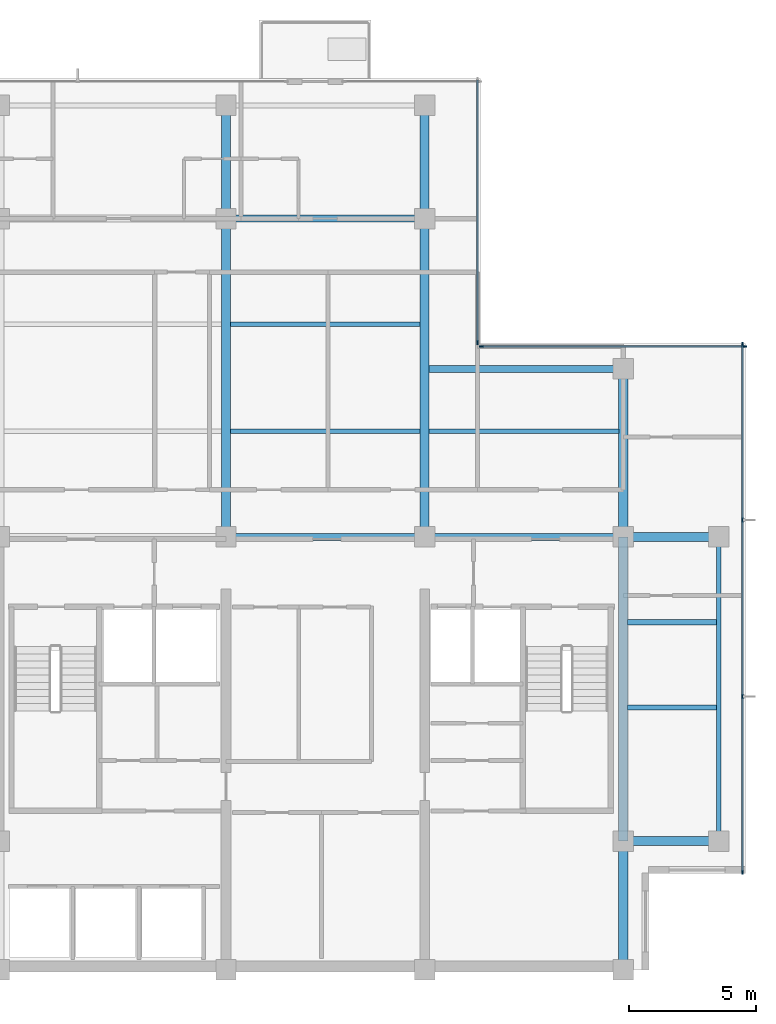
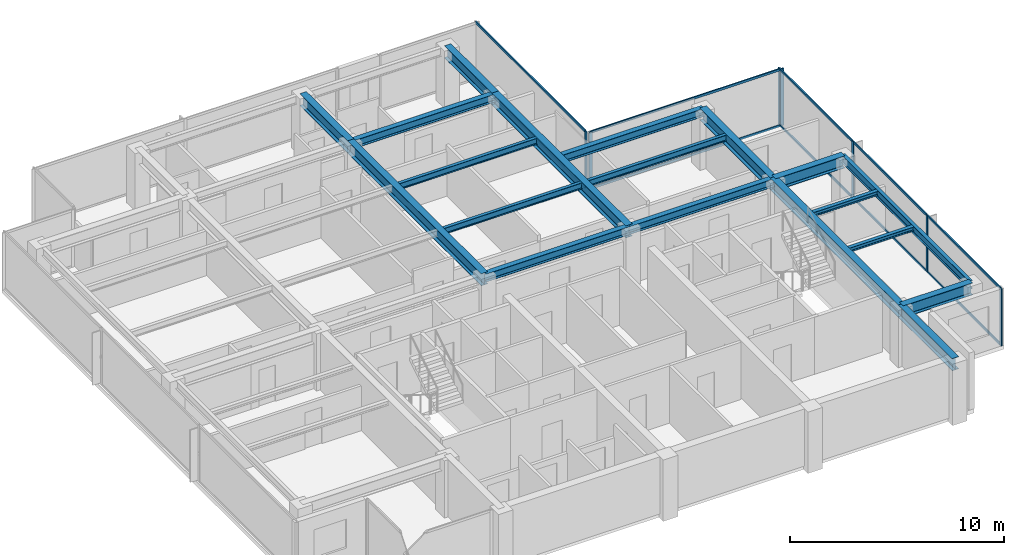
# One storey, part 3 of 11: 19 beams, 17 members, 3 elements without a shape of their own.
"""IFC4 building model written with IfcOpenShell, lengths in metres."""

from ifc_helpers import new_model, si_unit, direction, frame, origin, origin_2d, place, context, subcontext, project, spatial, rectangle, i_section, extrude, material, layer, layer_set, material_profile, profile_set, type_object, element, aggregate, save


model = new_model("IFC4")

# Units and contexts
model_context = context("Model", 3, precision=1e-05, world=origin(), true_north=direction((0.0, 1.0)))
body_context = subcontext(model_context, "Body", "Model", "MODEL_VIEW")
ifc_project = project(units=[si_unit("LENGTHUNIT", "METRE"), si_unit("AREAUNIT", "SQUARE_METRE"), si_unit("VOLUMEUNIT", "CUBIC_METRE"), si_unit("PLANEANGLEUNIT", "RADIAN"), si_unit("MASSUNIT", "GRAM", prefix="KILO")], contexts=[model_context])

# Site, building, storey
site_placement = place(None, origin())
site = spatial("IfcSite", under=ifc_project, at=site_placement, CompositionType="ELEMENT")
building_placement = place(site_placement, origin())
building = spatial("IfcBuilding", under=site, at=building_placement, Name="Qalmaran Belvedere Hotel", CompositionType="ELEMENT")
storey_placement = place(building_placement, frame((0.0, 0.0, 270.39990234375)))
storey = spatial("IfcBuildingStorey", under=building, at=storey_placement, Name="L70", CompositionType="ELEMENT", Elevation=270.39990234375)

# Beams
ifc_material_1 = material(Name="Steel S355JR", Category="steel")
ifc_material_profile_1 = material_profile(ifc_material_1, i_section(OverallWidth=0.201904296875, OverallDepth=0.2470703125, WebThickness=0.00732421875, FlangeThickness=0.010986328125, FilletRadius=0.011962890625, at=origin_2d()), Name="W250X49")
ifc_profile_set_1 = profile_set([ifc_material_profile_1], Name="Steel S355JR")
beam_type_1 = type_object("IfcBeamType", Name="BM-JST-W250X49", PredefinedType="JOIST", material=ifc_profile_set_1)
for number, where, z_axis, x_axis, name in (
    (1, (44.9755859375, 13.800048828125, 3.13671875), (1.0, 0.0, 0.0), (0.0, 1.0, 0.0), "L70 East Wing Joist 032"),
    (2, (44.9755859375, 17.14990234375, 3.13671875), (1.0, 0.0, 0.0), (0.0, 1.0, 0.0), "L70 East Wing Joist 034"),
):
    element("IfcBeam", number, at=place(storey_placement, frame(where, z_axis=z_axis, x_axis=x_axis)), inside=storey, type_object=beam_type_1, Name=name, PredefinedType="JOIST", context=body_context, shape_type="SweptSolid", body=[
        extrude(i_section(OverallWidth=0.201904296875, OverallDepth=0.2470703125, WebThickness=0.00732421875, FlangeThickness=0.010986328125, FilletRadius=0.011962890625, at=origin_2d()), origin(), (0.0, 0.0, 1.0), 3.48046875),
    ])
ifc_material_profile_2 = material_profile(ifc_material_1, i_section(OverallWidth=0.172119140625, OverallDepth=0.35791015625, WebThickness=0.0078125, FlangeThickness=0.01318359375, FilletRadius=0.014892578125, at=origin_2d()), Name="W360X57")
ifc_profile_set_2 = profile_set([ifc_material_profile_2], Name="Steel S355JR")
beam_type_2 = type_object("IfcBeamType", Name="BM-SB4-W360X57", PredefinedType="BEAM", material=ifc_profile_set_2)
for number, where, z_axis, x_axis, name in (
    (3, (29.37548828125, 24.64990234375, 3.0810546875), (1.0, 0.0, 0.0), (0.0, 1.0, 0.0), "L70 Secondary Floor Beam 026"),
    (4, (37.175537109375, 24.64990234375, 3.0810546875), (1.0, 0.0, 0.0), (0.0, 1.0, 0.0), "L70 Secondary Floor Beam 027"),
    (5, (29.37548828125, 28.85009765625, 3.0810546875), (1.0, 0.0, 0.0), (0.0, 1.0, 0.0), "L70 Secondary Floor Beam 030"),
):
    element("IfcBeam", number, at=place(storey_placement, frame(where, z_axis=z_axis, x_axis=x_axis)), inside=storey, type_object=beam_type_2, Name=name, PredefinedType="BEAM", context=body_context, shape_type="SweptSolid", body=[
        extrude(i_section(OverallWidth=0.172119140625, OverallDepth=0.35791015625, WebThickness=0.0078125, FlangeThickness=0.01318359375, FilletRadius=0.014892578125, at=origin_2d()), origin(), (0.0, 0.0, 1.0), 7.448974609375),
    ])
ifc_material_profile_3 = material_profile(ifc_material_1, i_section(OverallWidth=0.19189453125, OverallDepth=0.462890625, WebThickness=0.010498046875, FlangeThickness=0.017578125, FilletRadius=0.01611328125, at=origin_2d()), Name="W460X89")
ifc_profile_set_3 = profile_set([ifc_material_profile_3], Name="Steel S355JR")
beam_type_3 = type_object("IfcBeamType", Name="BM-SP2-W460X89", PredefinedType="SPANDREL", material=ifc_profile_set_3)
beam_1_placement = place(storey_placement, frame((48.550048828125, 8.550048828125, 3.028564453125), z_axis=(0.0, 1.0, 0.0), x_axis=(-1.0, 0.0, 0.0)))
element("IfcBeam", 6, at=beam_1_placement, inside=storey, type_object=beam_type_3, Name="L70 Perimeter Spandrel 03", PredefinedType="SPANDREL", context=body_context, shape_type="SweptSolid", body=[
    extrude(i_section(OverallWidth=0.19189453125, OverallDepth=0.462890625, WebThickness=0.010498046875, FlangeThickness=0.017578125, FilletRadius=0.01611328125, at=origin_2d()), origin(), (0.0, 0.0, 1.0), 11.949951171875),
])
ifc_material_profile_4 = material_profile(ifc_material_1, i_section(OverallWidth=0.35498046875, OverallDepth=0.695068359375, WebThickness=0.015380859375, FlangeThickness=0.02490234375, FilletRadius=0.02197265625, at=origin_2d()), Name="W690X217")
ifc_profile_set_4 = profile_set([ifc_material_profile_4], Name="Steel S355JR")
beam_type_4 = type_object("IfcBeamType", Name="BM-Z1-W690X217", PredefinedType="USERDEFINED", material=ifc_profile_set_4)
beam_2_placement = place(storey_placement, frame((29.199951171875, 20.5, 2.91259765625), z_axis=(0.0, 1.0, 0.0), x_axis=(-1.0, 0.0, 0.0)))
element("IfcBeam", 7, at=beam_2_placement, inside=storey, type_object=beam_type_4, Name="L70 Mid-Plate N-S Girder 13", ObjectType="GIRDER", PredefinedType="USERDEFINED", context=body_context, shape_type="SweptSolid", body=[
    extrude(i_section(OverallWidth=0.35498046875, OverallDepth=0.695068359375, WebThickness=0.015380859375, FlangeThickness=0.02490234375, FilletRadius=0.02197265625, at=origin_2d()), origin(), (0.0, 0.0, 1.0), 12.5),
])
beam_3_placement = place(storey_placement, frame((29.199951171875, 33.0, 2.91259765625), z_axis=(0.0, 1.0, 0.0), x_axis=(-1.0, 0.0, 0.0)))
element("IfcBeam", 8, at=beam_3_placement, inside=storey, type_object=beam_type_4, Name="L70 North Bay Girder 14", ObjectType="GIRDER", PredefinedType="USERDEFINED", context=body_context, shape_type="SweptSolid", body=[
    extrude(i_section(OverallWidth=0.35498046875, OverallDepth=0.695068359375, WebThickness=0.015380859375, FlangeThickness=0.02490234375, FilletRadius=0.02197265625, at=origin_2d()), origin(), (0.0, 0.0, 1.0), 4.449951171875),
])
beam_4_placement = place(storey_placement, frame((37.0, 20.5, 2.91259765625), z_axis=(0.0, 1.0, 0.0), x_axis=(-1.0, 0.0, 0.0)))
element("IfcBeam", 9, at=beam_4_placement, inside=storey, type_object=beam_type_4, Name="L70 Mid-Plate N-S Girder 15", ObjectType="GIRDER", PredefinedType="USERDEFINED", context=body_context, shape_type="SweptSolid", body=[
    extrude(i_section(OverallWidth=0.35498046875, OverallDepth=0.695068359375, WebThickness=0.015380859375, FlangeThickness=0.02490234375, FilletRadius=0.02197265625, at=origin_2d()), origin(), (0.0, 0.0, 1.0), 12.5),
])
beam_5_placement = place(storey_placement, frame((37.0, 33.0, 2.91259765625), z_axis=(0.0, 1.0, 0.0), x_axis=(-1.0, 0.0, 0.0)))
element("IfcBeam", 10, at=beam_5_placement, inside=storey, type_object=beam_type_4, Name="L70 North Bay Girder 16", ObjectType="GIRDER", PredefinedType="USERDEFINED", context=body_context, shape_type="SweptSolid", body=[
    extrude(i_section(OverallWidth=0.35498046875, OverallDepth=0.695068359375, WebThickness=0.015380859375, FlangeThickness=0.02490234375, FilletRadius=0.02197265625, at=origin_2d()), origin(), (0.0, 0.0, 1.0), 4.449951171875),
])
beam_6_placement = place(storey_placement, frame((44.800048828125, 20.5, 2.91259765625), z_axis=(0.0, 1.0, 0.0), x_axis=(-1.0, 0.0, 0.0)))
element("IfcBeam", 11, at=beam_6_placement, inside=storey, type_object=beam_type_4, Name="L70 Mid-Plate N-S Girder 17", ObjectType="GIRDER", PredefinedType="USERDEFINED", context=body_context, shape_type="SweptSolid", body=[
    extrude(i_section(OverallWidth=0.35498046875, OverallDepth=0.695068359375, WebThickness=0.015380859375, FlangeThickness=0.02490234375, FilletRadius=0.02197265625, at=origin_2d()), origin(), (0.0, 0.0, 1.0), 6.60009765625),
])
beam_7_placement = place(storey_placement, frame((44.800048828125, 3.5, 2.91259765625), z_axis=(0.0, 1.0, 0.0), x_axis=(-1.0, 0.0, 0.0)))
element("IfcBeam", 12, at=beam_7_placement, inside=storey, type_object=beam_type_4, Name="L70 East Core Edge Girder A", ObjectType="GIRDER", PredefinedType="USERDEFINED", context=body_context, shape_type="SweptSolid", body=[
    extrude(i_section(OverallWidth=0.35498046875, OverallDepth=0.695068359375, WebThickness=0.015380859375, FlangeThickness=0.02490234375, FilletRadius=0.02197265625, at=origin_2d()), origin(), (0.0, 0.0, 1.0), 5.050048828125),
])
beam_8_placement = place(storey_placement, frame((44.800048828125, 8.550048828125, 2.91259765625), z_axis=(0.0, 1.0, 0.0), x_axis=(-1.0, 0.0, 0.0)))
element("IfcBeam", 13, at=beam_8_placement, inside=storey, type_object=beam_type_4, Name="L70 East Core Edge Girder B", ObjectType="GIRDER", PredefinedType="USERDEFINED", context=body_context, shape_type="SweptSolid", body=[
    extrude(i_section(OverallWidth=0.35498046875, OverallDepth=0.695068359375, WebThickness=0.015380859375, FlangeThickness=0.02490234375, FilletRadius=0.02197265625, at=origin_2d()), origin(), (0.0, 0.0, 1.0), 11.949951171875),
])
for number, where, z_axis, x_axis, name in (
    (14, (44.800048828125, 8.550048828125, 2.91259765625), (1.0, 0.0, 0.0), (0.0, 1.0, 0.0), "L70 East Wing Girder 22"),
    (15, (44.800048828125, 20.5, 2.91259765625), (1.0, 0.0, 0.0), (0.0, 1.0, 0.0), "L70 East Wing Girder 23"),
):
    element("IfcBeam", number, at=place(storey_placement, frame(where, z_axis=z_axis, x_axis=x_axis)), inside=storey, type_object=beam_type_4, Name=name, ObjectType="GIRDER", PredefinedType="USERDEFINED", context=body_context, shape_type="SweptSolid", body=[
        extrude(i_section(OverallWidth=0.35498046875, OverallDepth=0.695068359375, WebThickness=0.015380859375, FlangeThickness=0.02490234375, FilletRadius=0.02197265625, at=origin_2d()), origin(), (0.0, 0.0, 1.0), 3.75),
    ])
ifc_material_profile_5 = material_profile(ifc_material_1, i_section(OverallWidth=0.280029296875, OverallDepth=0.462890625, WebThickness=0.0107421875, FlangeThickness=0.017333984375, FilletRadius=0.01611328125, at=origin_2d()), Name="W460X113")
ifc_profile_set_5 = profile_set([ifc_material_profile_5], Name="Steel S355JR")
beam_type_5 = type_object("IfcBeamType", Name="BM-Z5-W460X113", PredefinedType="USERDEFINED", material=ifc_profile_set_5)
for number, where, z_axis, x_axis, name in (
    (16, (29.199951171875, 20.5, 3.028564453125), (1.0, 0.0, 0.0), (0.0, 1.0, 0.0), "L70 Interior E-W Girder 07"),
    (17, (37.0, 20.5, 3.028564453125), (1.0, 0.0, 0.0), (0.0, 1.0, 0.0), "L70 Interior E-W Girder 08"),
    (18, (29.199951171875, 33.0, 3.028564453125), (1.0, 0.0, 0.0), (0.0, 1.0, 0.0), "L70 Interior E-W Girder 10"),
):
    element("IfcBeam", number, at=place(storey_placement, frame(where, z_axis=z_axis, x_axis=x_axis)), inside=storey, type_object=beam_type_5, Name=name, ObjectType="GIRDER", PredefinedType="USERDEFINED", context=body_context, shape_type="SweptSolid", body=[
        extrude(i_section(OverallWidth=0.280029296875, OverallDepth=0.462890625, WebThickness=0.0107421875, FlangeThickness=0.017333984375, FilletRadius=0.01611328125, at=origin_2d()), origin(), (0.0, 0.0, 1.0), 7.800048828125),
    ])
beam_9_placement = place(storey_placement, frame((37.175537109375, 27.10009765625, 3.028564453125), z_axis=(1.0, 0.0, 0.0), x_axis=(0.0, 1.0, 0.0)))
element("IfcBeam", 19, at=beam_9_placement, inside=storey, type_object=beam_type_5, Name="L70 North-East Notch Rim Girder", ObjectType="GIRDER", PredefinedType="USERDEFINED", context=body_context, shape_type="SweptSolid", body=[
    extrude(i_section(OverallWidth=0.280029296875, OverallDepth=0.462890625, WebThickness=0.0107421875, FlangeThickness=0.017333984375, FilletRadius=0.01611328125, at=origin_2d()), origin(), (0.0, 0.0, 1.0), 7.62451171875),
])

# Curtain wall, members
ifc_material_2 = material(Name="Anodised Bronze Aluminium", Category="aluminium")
ifc_layer = layer(ifc_material_2, 0.18505859375, Name="Anodised Bronze Aluminium")
ifc_layer_set = layer_set([ifc_layer], Name="Anodised Bronze Aluminium")
curtain_wall_type = type_object("IfcCurtainWallType", Name="CW6-TOWER-SKY", PredefinedType="NOTDEFINED", material=ifc_layer_set)
curtain_wall_1_placement = place(storey_placement, origin())
curtain_wall_1 = element("IfcCurtainWall", 20, at=curtain_wall_1_placement, inside=storey, type_object=curtain_wall_type, Name="L70 Curtain Wall CW6", PredefinedType="NOTDEFINED")
ifc_material_profile_6 = material_profile(ifc_material_2, rectangle(XDim=0.06494140625, YDim=0.1650390625, at=origin_2d()), Name="CWM65X165")
ifc_profile_set_6 = profile_set([ifc_material_profile_6], Name="Anodised Bronze Aluminium")
member_type_1 = type_object("IfcMemberType", Name="CWM-65X165", PredefinedType="MULLION", material=ifc_profile_set_6)
member_1_placement = place(storey_placement, frame((49.47998046875, 7.33251953125, 0.0), z_axis=(0.0, 0.0, 1.0), x_axis=(-1.0, 0.0, 0.0)))
member_1 = element("IfcMember", 21, at=member_1_placement, type_object=member_type_1, Name="CW6 mullion 1", PredefinedType="MULLION", context=body_context, shape_type="SweptSolid", body=[
    extrude(rectangle(XDim=0.06494140625, YDim=0.1650390625, at=origin_2d()), origin(), (0.0, 0.0, 1.0), 3.260009765625),
])
member_2_placement = place(storey_placement, frame((49.47998046875, 14.2333984375, 0.0), z_axis=(0.0, 0.0, 1.0), x_axis=(-1.0, 0.0, 0.0)))
member_2 = element("IfcMember", 22, at=member_2_placement, type_object=member_type_1, Name="CW6 mullion 2", PredefinedType="MULLION", context=body_context, shape_type="SweptSolid", body=[
    extrude(rectangle(XDim=0.06494140625, YDim=0.1650390625, at=origin_2d()), origin(), (0.0, 0.0, 1.0), 3.260009765625),
])
member_3_placement = place(storey_placement, frame((49.47998046875, 21.166748046875, 0.0), z_axis=(0.0, 0.0, 1.0), x_axis=(-1.0, 0.0, 0.0)))
member_3 = element("IfcMember", 23, at=member_3_placement, type_object=member_type_1, Name="CW6 mullion 3", PredefinedType="MULLION", context=body_context, shape_type="SweptSolid", body=[
    extrude(rectangle(XDim=0.06494140625, YDim=0.1650390625, at=origin_2d()), origin(), (0.0, 0.0, 1.0), 3.260009765625),
])
member_4_placement = place(storey_placement, frame((49.47998046875, 28.0673828125, 0.0), z_axis=(0.0, 0.0, 1.0), x_axis=(-1.0, 0.0, 0.0)))
member_4 = element("IfcMember", 24, at=member_4_placement, type_object=member_type_1, Name="CW6 mullion 4", PredefinedType="MULLION", context=body_context, shape_type="SweptSolid", body=[
    extrude(rectangle(XDim=0.06494140625, YDim=0.1650390625, at=origin_2d()), origin(), (0.0, 0.0, 1.0), 3.260009765625),
])

curtain_wall_2_placement = place(storey_placement, origin())
curtain_wall_2 = element("IfcCurtainWall", 25, at=curtain_wall_2_placement, inside=storey, type_object=curtain_wall_type, Name="L70 Curtain Wall CW6", PredefinedType="NOTDEFINED")
member_5_placement = place(storey_placement, frame((49.5673828125, 27.97998046875, 0.0), z_axis=(0.0, 0.0, 1.0), x_axis=(0.0, -1.0, 0.0)))
member_5 = element("IfcMember", 26, at=member_5_placement, type_object=member_type_1, Name="CW6 mullion 1", PredefinedType="MULLION", context=body_context, shape_type="SweptSolid", body=[
    extrude(rectangle(XDim=0.06494140625, YDim=0.1650390625, at=origin_2d()), origin(), (0.0, 0.0, 1.0), 3.260009765625),
])
member_6_placement = place(storey_placement, frame((39.232421875, 27.97998046875, 0.0), z_axis=(0.0, 0.0, 1.0), x_axis=(0.0, -1.0, 0.0)))
member_6 = element("IfcMember", 27, at=member_6_placement, type_object=member_type_1, Name="CW6 mullion 2", PredefinedType="MULLION", context=body_context, shape_type="SweptSolid", body=[
    extrude(rectangle(XDim=0.06494140625, YDim=0.1650390625, at=origin_2d()), origin(), (0.0, 0.0, 1.0), 3.260009765625),
])

# Curtain wall, member
curtain_wall_3_placement = place(storey_placement, origin())
curtain_wall_3 = element("IfcCurtainWall", 28, at=curtain_wall_3_placement, inside=storey, type_object=curtain_wall_type, Name="L70 Curtain Wall CW6", PredefinedType="NOTDEFINED")
member_7_placement = place(storey_placement, frame((39.080078125, 28.132568359375, 0.0), z_axis=(0.0, 0.0, 1.0), x_axis=(-1.0, 0.0, 0.0)))
member_7 = element("IfcMember", 29, at=member_7_placement, type_object=member_type_1, Name="CW6 mullion 1", PredefinedType="MULLION", context=body_context, shape_type="SweptSolid", body=[
    extrude(rectangle(XDim=0.06494140625, YDim=0.1650390625, at=origin_2d()), origin(), (0.0, 0.0, 1.0), 3.260009765625),
])

# Member
ifc_material_profile_7 = material_profile(ifc_material_2, rectangle(XDim=0.06494140625, YDim=0.1298828125, at=origin_2d()), Name="CWT65X130")
ifc_profile_set_7 = profile_set([ifc_material_profile_7], Name="Anodised Bronze Aluminium")
member_type_2 = type_object("IfcMemberType", Name="CWT-65X130", PredefinedType="USERDEFINED", material=ifc_profile_set_7)
member_8_placement = place(storey_placement, frame((49.47998046875, 7.364990234375, 0.03271484375), z_axis=(0.0, 1.0, 0.0), x_axis=(-1.0, 0.0, 0.0)))
member_8 = element("IfcMember", 30, at=member_8_placement, type_object=member_type_2, Name="CW6 transom 1.1", ObjectType="TRANSOM", PredefinedType="USERDEFINED", context=body_context, shape_type="SweptSolid", body=[
    extrude(rectangle(XDim=0.06494140625, YDim=0.1298828125, at=origin_2d()), origin(), (0.0, 0.0, 1.0), 6.8359375),
])

member_9_placement = place(storey_placement, frame((49.47998046875, 7.364990234375, 3.2275390625), z_axis=(0.0, 1.0, 0.0), x_axis=(-1.0, 0.0, 0.0)))
member_9 = element("IfcMember", 31, at=member_9_placement, type_object=member_type_2, Name="CW6 transom 1.2", ObjectType="TRANSOM", PredefinedType="USERDEFINED", context=body_context, shape_type="SweptSolid", body=[
    extrude(rectangle(XDim=0.06494140625, YDim=0.1298828125, at=origin_2d()), origin(), (0.0, 0.0, 1.0), 6.8359375),
])

member_10_placement = place(storey_placement, frame((49.47998046875, 14.265869140625, 0.03271484375), z_axis=(0.0, 1.0, 0.0), x_axis=(-1.0, 0.0, 0.0)))
member_10 = element("IfcMember", 32, at=member_10_placement, type_object=member_type_2, Name="CW6 transom 2.1", ObjectType="TRANSOM", PredefinedType="USERDEFINED", context=body_context, shape_type="SweptSolid", body=[
    extrude(rectangle(XDim=0.06494140625, YDim=0.1298828125, at=origin_2d()), origin(), (0.0, 0.0, 1.0), 6.868408203125),
])

member_11_placement = place(storey_placement, frame((49.47998046875, 14.265869140625, 3.2275390625), z_axis=(0.0, 1.0, 0.0), x_axis=(-1.0, 0.0, 0.0)))
member_11 = element("IfcMember", 33, at=member_11_placement, type_object=member_type_2, Name="CW6 transom 2.2", ObjectType="TRANSOM", PredefinedType="USERDEFINED", context=body_context, shape_type="SweptSolid", body=[
    extrude(rectangle(XDim=0.06494140625, YDim=0.1298828125, at=origin_2d()), origin(), (0.0, 0.0, 1.0), 6.868408203125),
])

member_12_placement = place(storey_placement, frame((49.47998046875, 21.19921875, 0.03271484375), z_axis=(0.0, 1.0, 0.0), x_axis=(-1.0, 0.0, 0.0)))
member_12 = element("IfcMember", 34, at=member_12_placement, type_object=member_type_2, Name="CW6 transom 3.1", ObjectType="TRANSOM", PredefinedType="USERDEFINED", context=body_context, shape_type="SweptSolid", body=[
    extrude(rectangle(XDim=0.06494140625, YDim=0.1298828125, at=origin_2d()), origin(), (0.0, 0.0, 1.0), 6.835693359375),
])

member_13_placement = place(storey_placement, frame((49.47998046875, 21.19921875, 3.2275390625), z_axis=(0.0, 1.0, 0.0), x_axis=(-1.0, 0.0, 0.0)))
member_13 = element("IfcMember", 35, at=member_13_placement, type_object=member_type_2, Name="CW6 transom 3.2", ObjectType="TRANSOM", PredefinedType="USERDEFINED", context=body_context, shape_type="SweptSolid", body=[
    extrude(rectangle(XDim=0.06494140625, YDim=0.1298828125, at=origin_2d()), origin(), (0.0, 0.0, 1.0), 6.835693359375),
])

aggregate(curtain_wall_1, [member_1, member_2, member_3, member_4, member_8, member_9, member_10, member_11, member_12, member_13])

member_14_placement = place(storey_placement, frame((49.534912109375, 27.97998046875, 0.03271484375), z_axis=(-1.0, 0.0, 0.0), x_axis=(0.0, -1.0, 0.0)))
member_14 = element("IfcMember", 36, at=member_14_placement, type_object=member_type_2, Name="CW6 transom 1.1", ObjectType="TRANSOM", PredefinedType="USERDEFINED", context=body_context, shape_type="SweptSolid", body=[
    extrude(rectangle(XDim=0.06494140625, YDim=0.1298828125, at=origin_2d()), origin(), (0.0, 0.0, 1.0), 10.27001953125),
])

member_15_placement = place(storey_placement, frame((49.534912109375, 27.97998046875, 3.2275390625), z_axis=(-1.0, 0.0, 0.0), x_axis=(0.0, -1.0, 0.0)))
member_15 = element("IfcMember", 37, at=member_15_placement, type_object=member_type_2, Name="CW6 transom 1.2", ObjectType="TRANSOM", PredefinedType="USERDEFINED", context=body_context, shape_type="SweptSolid", body=[
    extrude(rectangle(XDim=0.06494140625, YDim=0.1298828125, at=origin_2d()), origin(), (0.0, 0.0, 1.0), 10.27001953125),
])

aggregate(curtain_wall_2, [member_5, member_6, member_14, member_15])

member_16_placement = place(storey_placement, frame((39.080078125, 28.1650390625, 0.03271484375), z_axis=(0.0, 1.0, 0.0), x_axis=(-1.0, 0.0, 0.0)))
member_16 = element("IfcMember", 38, at=member_16_placement, type_object=member_type_2, Name="CW6 transom 1.1", ObjectType="TRANSOM", PredefinedType="USERDEFINED", context=body_context, shape_type="SweptSolid", body=[
    extrude(rectangle(XDim=0.06494140625, YDim=0.1298828125, at=origin_2d()), origin(), (0.0, 0.0, 1.0), 10.27001953125),
])

member_17_placement = place(storey_placement, frame((39.080078125, 28.1650390625, 3.2275390625), z_axis=(0.0, 1.0, 0.0), x_axis=(-1.0, 0.0, 0.0)))
member_17 = element("IfcMember", 39, at=member_17_placement, type_object=member_type_2, Name="CW6 transom 1.2", ObjectType="TRANSOM", PredefinedType="USERDEFINED", context=body_context, shape_type="SweptSolid", body=[
    extrude(rectangle(XDim=0.06494140625, YDim=0.1298828125, at=origin_2d()), origin(), (0.0, 0.0, 1.0), 10.27001953125),
])

aggregate(curtain_wall_3, [member_7, member_16, member_17])

save(model, "model.ifc")
